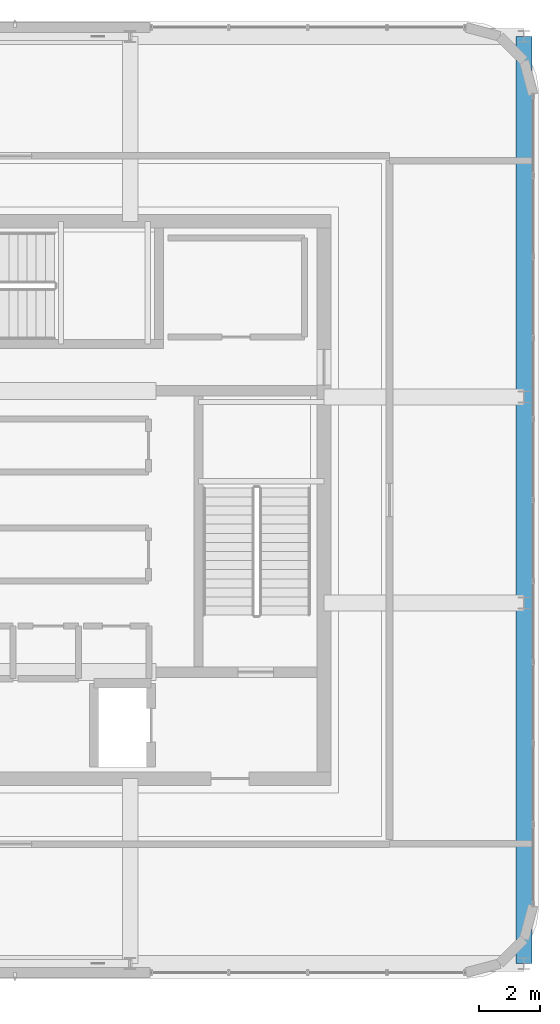
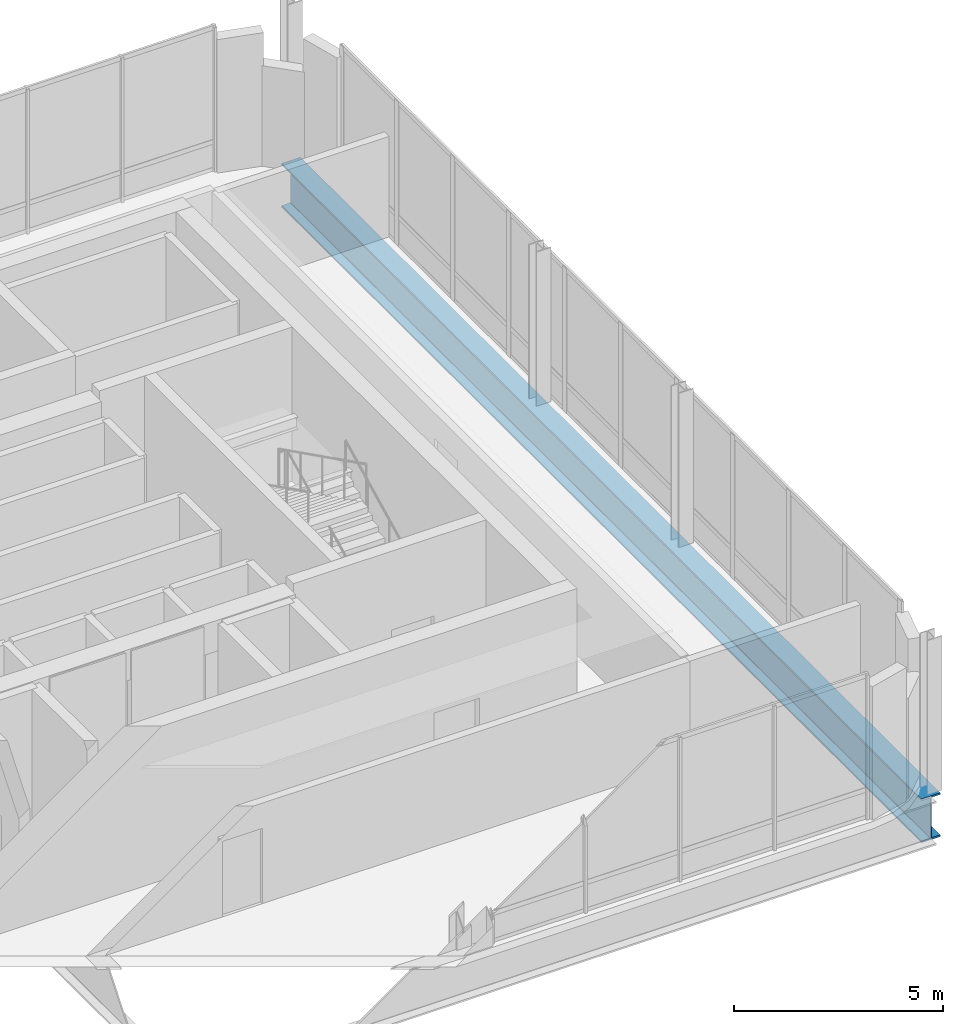
# One storey, part 14 of 25: 1 beam.
"""IFC4 building model written with IfcOpenShell, lengths in metres."""

from ifc_helpers import new_model, si_unit, direction, frame, origin, origin_2d, place, context, subcontext, project, spatial, i_section, extrude, material, material_profile, profile_set, type_object, element, save


model = new_model("IFC4")

# Units and contexts
model_context = context("Model", 3, precision=1e-05, world=origin(), true_north=direction((0.0, 1.0)))
body_context = subcontext(model_context, "Body", "Model", "MODEL_VIEW")
ifc_project = project(units=[si_unit("LENGTHUNIT", "METRE"), si_unit("AREAUNIT", "SQUARE_METRE"), si_unit("VOLUMEUNIT", "CUBIC_METRE"), si_unit("PLANEANGLEUNIT", "RADIAN"), si_unit("MASSUNIT", "GRAM", prefix="KILO")], contexts=[model_context])

# Site, building, storey
site_placement = place(None, origin())
site = spatial("IfcSite", under=ifc_project, at=site_placement, CompositionType="ELEMENT")
building_placement = place(site_placement, origin())
building = spatial("IfcBuilding", under=site, at=building_placement, Name="Punatoya Terracotta Tower", CompositionType="ELEMENT")
storey_placement = place(building_placement, frame((0.0, 0.0, 357.300048828125)))
storey = spatial("IfcBuildingStorey", under=building, at=storey_placement, Name="L84", CompositionType="ELEMENT", Elevation=357.300048828125)

# Beam
ifc_material = material(Name="Steel S460", Category="steel")
ifc_material_profile = material_profile(ifc_material, i_section(OverallWidth=0.52001953125, OverallDepth=1.280029296875, WebThickness=0.031982421875, FlangeThickness=0.050048828125, FilletRadius=0.01806640625, at=origin_2d()))
ifc_profile_set = profile_set([ifc_material_profile], Name="Steel S460")
beam_type = type_object("IfcBeamType", Name="BM-TG-NCK", PredefinedType="BEAM", material=ifc_profile_set)
beam_placement = place(storey_placement, frame((16.800048828125, -15.300048828125, -0.860107421875), z_axis=(0.0, 1.0, 0.0), x_axis=(-1.0, 0.0, 0.0)))
element("IfcBeam", 1, at=beam_placement, inside=storey, type_object=beam_type, Name="BM-L84-RE", PredefinedType="BEAM", context=body_context, shape_type="SweptSolid", body=[
    extrude(i_section(OverallWidth=0.52001953125, OverallDepth=1.280029296875, WebThickness=0.031982421875, FlangeThickness=0.050048828125, FilletRadius=0.01806640625, at=origin_2d()), origin(), (0.0, 0.0, 1.0), 30.60009765625),
])

save(model, "model.ifc")
